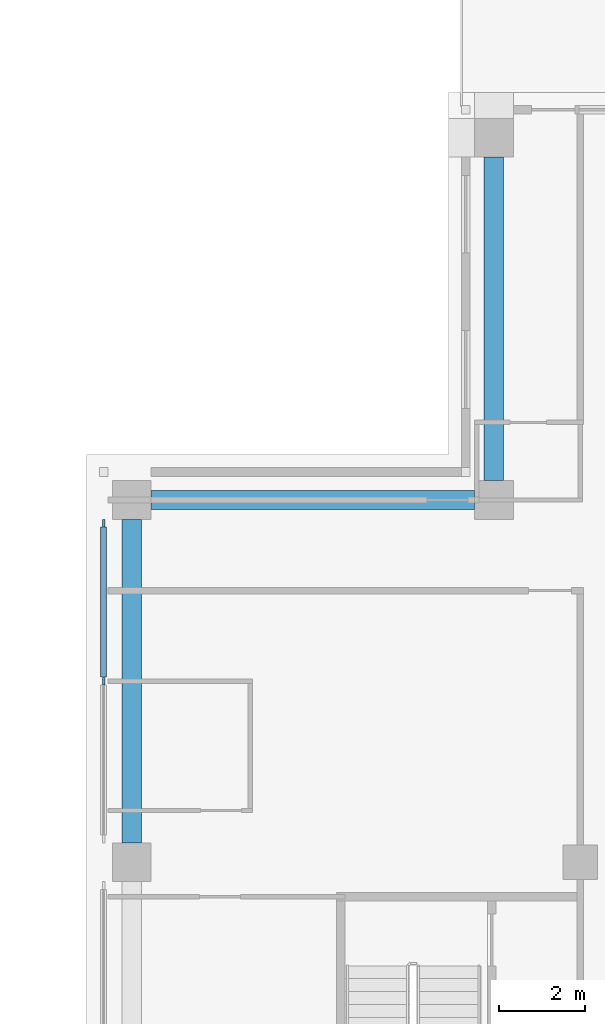
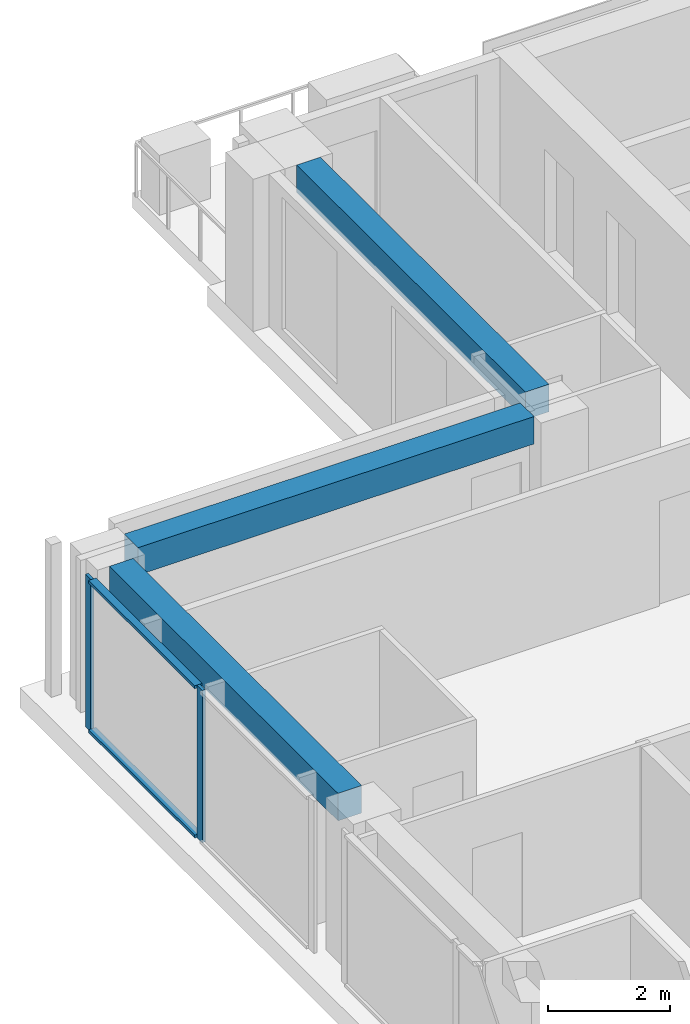
# One storey, part 6 of 19: 4 members, 3 beams, 1 element without a shape of its own.
"""IFC4 building model written with IfcOpenShell, lengths in metres."""

from ifc_helpers import new_model, si_unit, direction, frame, origin, origin_2d, place, context, subcontext, project, spatial, rectangle, extrude, material, material_profile, profile_set, type_object, element, aggregate, save


model = new_model("IFC4")

# Units and contexts
model_context = context("Model", 3, precision=1e-05, world=origin(), true_north=direction((0.0, 1.0)))
body_context = subcontext(model_context, "Body", "Model", "MODEL_VIEW")
ifc_project = project(units=[si_unit("LENGTHUNIT", "METRE"), si_unit("AREAUNIT", "SQUARE_METRE"), si_unit("VOLUMEUNIT", "CUBIC_METRE"), si_unit("PLANEANGLEUNIT", "RADIAN"), si_unit("MASSUNIT", "GRAM", prefix="KILO")], contexts=[model_context])

# Site, building, storey
site_placement = place(None, origin())
site = spatial("IfcSite", under=ifc_project, at=site_placement, CompositionType="ELEMENT")
building_placement = place(site_placement, origin())
building = spatial("IfcBuilding", under=site, at=building_placement, Name="Vermilion Ogive Tower", CompositionType="ELEMENT")
storey_placement = place(building_placement, frame((0.0, 0.0, 226.89990234375)))
storey = spatial("IfcBuildingStorey", under=building, at=storey_placement, Name="L59", CompositionType="ELEMENT", Elevation=226.89990234375)

# Curtain wall, members
ifc_material_1 = material(Name="Low-iron laminated glazing in aluminium frame", Category="aluminium")
curtain_wall_type = type_object("IfcCurtainWallType", Name="Curtain wall CW7", PredefinedType="NOTDEFINED", material=ifc_material_1)
curtain_wall_placement = place(storey_placement, origin())
curtain_wall = element("IfcCurtainWall", 1, at=curtain_wall_placement, inside=storey, type_object=curtain_wall_type, Name="Glazed skin W1", PredefinedType="NOTDEFINED")
ifc_material_2 = material(Name="Aluminium mullion", Category="aluminium")
ifc_material_profile_1 = material_profile(ifc_material_2, rectangle(XDim=0.06005859375, YDim=0.179931640625, at=origin_2d()), Name="AL 60x180")
ifc_profile_set_1 = profile_set([ifc_material_profile_1], Name="Aluminium mullion")
member_type_1 = type_object("IfcMemberType", Name="CW7 mullion 60x180", PredefinedType="MULLION", material=ifc_profile_set_1)
member_1_placement = place(storey_placement, frame((-25.85009765625, 12.06005859375, 0.0), z_axis=(0.0, 0.0, 1.0), x_axis=(1.0, 0.0, 0.0)))
member_1 = element("IfcMember", 2, at=member_1_placement, type_object=member_type_1, Name="CW7-W1 mullion 1", PredefinedType="MULLION", context=body_context, shape_type="SweptSolid", body=[
    extrude(rectangle(XDim=0.06005859375, YDim=0.179931640625, at=origin_2d()), origin(), (0.0, 0.0, 1.0), 3.050048828125),
])
member_2_placement = place(storey_placement, frame((-25.85009765625, 8.39990234375, 0.0), z_axis=(0.0, 0.0, 1.0), x_axis=(1.0, 0.0, 0.0)))
member_2 = element("IfcMember", 3, at=member_2_placement, type_object=member_type_1, Name="CW7-W1 mullion 2", PredefinedType="MULLION", context=body_context, shape_type="SweptSolid", body=[
    extrude(rectangle(XDim=0.06005859375, YDim=0.179931640625, at=origin_2d()), origin(), (0.0, 0.0, 1.0), 3.050048828125),
])
ifc_material_3 = material(Name="Aluminium transom", Category="aluminium")
ifc_material_profile_2 = material_profile(ifc_material_3, rectangle(XDim=0.139892578125, YDim=0.06005859375, at=origin_2d()), Name="AL 60x140")
ifc_profile_set_2 = profile_set([ifc_material_profile_2], Name="Aluminium transom")
member_type_2 = type_object("IfcMemberType", Name="CW7 transom 60x140", PredefinedType="USERDEFINED", material=ifc_profile_set_2)
member_3_placement = place(storey_placement, frame((-25.85009765625, 11.969970703125, 0.030029296875), z_axis=(0.0, -1.0, 0.0), x_axis=(1.0, 0.0, 0.0)))
member_3 = element("IfcMember", 4, at=member_3_placement, type_object=member_type_2, Name="CW7-W1 transom 1.1", ObjectType="TRANSOM", PredefinedType="USERDEFINED", context=body_context, shape_type="SweptSolid", body=[
    extrude(rectangle(XDim=0.139892578125, YDim=0.06005859375, at=origin_2d()), origin(), (0.0, 0.0, 1.0), 3.47998046875),
])
member_4_placement = place(storey_placement, frame((-25.85009765625, 11.969970703125, 3.02001953125), z_axis=(0.0, -1.0, 0.0), x_axis=(1.0, 0.0, 0.0)))
member_4 = element("IfcMember", 5, at=member_4_placement, type_object=member_type_2, Name="CW7-W1 transom 1.2", ObjectType="TRANSOM", PredefinedType="USERDEFINED", context=body_context, shape_type="SweptSolid", body=[
    extrude(rectangle(XDim=0.139892578125, YDim=0.06005859375, at=origin_2d()), origin(), (0.0, 0.0, 1.0), 3.47998046875),
])
aggregate(curtain_wall, [member_1, member_2, member_3, member_4])

# Beams
ifc_material_4 = material(Name="Concrete B45", Category="concrete")
ifc_material_profile_3 = material_profile(ifc_material_4, rectangle(XDim=0.449951171875, YDim=0.550048828125, at=origin_2d()), Name="450 x 550")
ifc_profile_set_3 = profile_set([ifc_material_profile_3], Name="Concrete B45")
beam_type = type_object("IfcBeamType", Name="Edge beam 450 x 550 B45", PredefinedType="BEAM", material=ifc_profile_set_3)
for number, where, z_axis, x_axis, name in (
    (6, (-16.800048828125, 20.550048828125, 2.775146484375), (0.0, -1.0, 0.0), (1.0, 0.0, 0.0), "L59-EB-12"),
    (7, (-17.25, 12.60009765625, 2.775146484375), (-1.0, 0.0, 0.0), (0.0, -1.0, 0.0), "L59-EB-13"),
    (8, (-25.199951171875, 12.14990234375, 2.775146484375), (0.0, -1.0, 0.0), (1.0, 0.0, 0.0), "L59-EB-14"),
):
    element("IfcBeam", number, at=place(storey_placement, frame(where, z_axis=z_axis, x_axis=x_axis)), inside=storey, type_object=beam_type, Name=name, PredefinedType="BEAM", context=body_context, shape_type="SweptSolid", body=[
        extrude(rectangle(XDim=0.449951171875, YDim=0.550048828125, at=origin_2d()), origin(), (0.0, 0.0, 1.0), 7.5),
    ])

save(model, "model.ifc")
